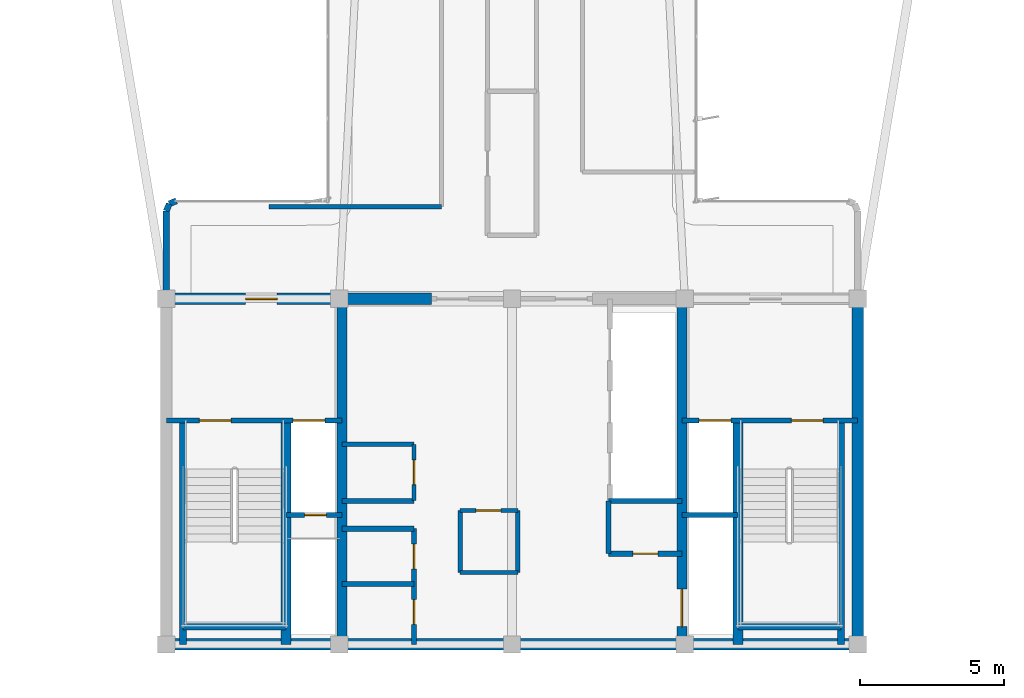
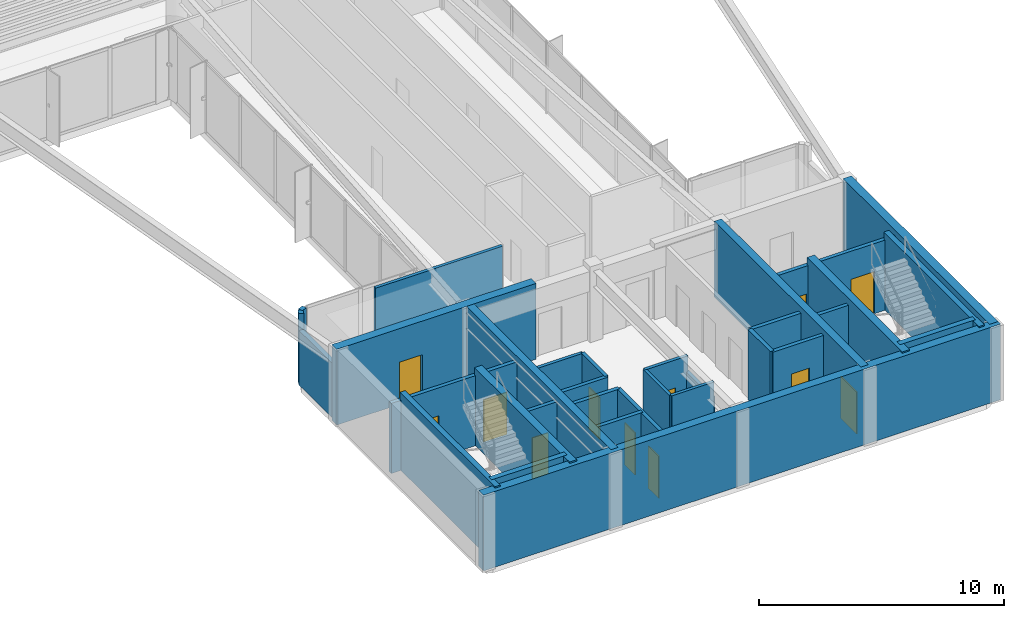
# One storey, part 10 of 16: 32 walls, 12 doors, 12 openings.
"""IFC4 building model written with IfcOpenShell, lengths in metres."""

from ifc_helpers import new_model, si_unit, direction, frame, frame_2d, origin, origin_2d, place, context, subcontext, project, spatial, rectangle, extrude, source, transform, mapped, material, layer, layer_set, type_object, element, fill, save


model = new_model("IFC4")

# Units and contexts
model_context = context("Model", 3, precision=1e-05, world=origin(), true_north=direction((0.0, 1.0)))
body_context = subcontext(model_context, "Body", "Model", "MODEL_VIEW")
ifc_project = project(units=[si_unit("LENGTHUNIT", "METRE"), si_unit("AREAUNIT", "SQUARE_METRE"), si_unit("VOLUMEUNIT", "CUBIC_METRE"), si_unit("PLANEANGLEUNIT", "RADIAN"), si_unit("MASSUNIT", "GRAM", prefix="KILO")], contexts=[model_context])

# Site, building, storey
site_placement = place(None, origin())
site = spatial("IfcSite", under=ifc_project, at=site_placement, CompositionType="ELEMENT")
building_placement = place(site_placement, origin())
building = spatial("IfcBuilding", under=site, at=building_placement, Name="Brelvock Crest Care Tower", CompositionType="ELEMENT")
storey_placement = place(building_placement, frame((0.0, 0.0, 223.02001953125)))
storey = spatial("IfcBuildingStorey", under=building, at=storey_placement, Name="L56", CompositionType="ELEMENT", Elevation=223.02001953125)

# Walls
ifc_material_1 = material(Name="Concrete S65 (65 MPa)", Category="concrete")
ifc_layer_1 = layer(ifc_material_1, 0.39990234375, Name="WL-CS4")
ifc_layer_set_1 = layer_set([ifc_layer_1], Name="Concrete S65 (65 MPa)")
wall_type_1 = type_object("IfcWallType", Name="WL-CS4", PredefinedType="SHEAR", material=ifc_layer_set_1)
wall_1_placement = place(storey_placement, frame((48.199951171875, 6.0, 0.0), z_axis=(0.0, 0.0, 1.0), x_axis=(-1.0, 0.0, 0.0)))
element("IfcWall", 1, at=wall_1_placement, inside=storey, type_object=wall_type_1, Name="L56 Core South Shear Wall", PredefinedType="SHEAR", context=body_context, shape_type="SweptSolid", body=[
    extrude(rectangle(XDim=24.39990234375, YDim=0.39990234375, at=frame_2d((12.199951171875, 0.0))), origin(), (0.0, 0.0, 1.0), 3.780029296875),
])
wall_2_placement = place(storey_placement, frame((48.0, 18.0, 0.0), z_axis=(0.0, 0.0, 1.0), x_axis=(0.0, -1.0, 0.0)))
element("IfcWall", 2, at=wall_2_placement, inside=storey, type_object=wall_type_1, Name="L56 Core East Shear Wall", PredefinedType="SHEAR", context=body_context, shape_type="SweptSolid", body=[
    extrude(rectangle(XDim=12.0, YDim=0.39990234375, at=frame_2d((6.0, 0.0))), origin(), (0.0, 0.0, 1.0), 3.780029296875),
])

# Wall, opening, door
wall_3_placement = place(storey_placement, frame((23.800048828125, 18.0, 0.0), z_axis=(0.0, 0.0, 1.0), x_axis=(1.0, 0.0, 0.0)))
wall_3 = element("IfcWall", 3, at=wall_3_placement, inside=storey, type_object=wall_type_1, Name="L56 Core North-West Shear Wall", PredefinedType="SHEAR", context=body_context, shape_type="SweptSolid", body=[
    extrude(rectangle(XDim=9.39990234375, YDim=0.39990234375, at=frame_2d((4.699951171875, 0.0))), origin(), (0.0, 0.0, 1.0), 3.780029296875),
])
opening_1_placement = place(wall_3_placement, frame((2.949951171875, 0.0, 0.0)))
opening_1 = element("IfcOpeningElement", 4, at=opening_1_placement, cuts=wall_3, Name="Opening FD-1", PredefinedType="OPENING", context=body_context, shape_type="SweptSolid", body=[
    extrude(rectangle(XDim=1.10009765625, YDim=2.10009765625, at=origin_2d()), frame((0.550048828125, 0.2099609375, 1.050048828125), z_axis=(0.0, -1.0, 0.0), x_axis=(1.0, 0.0, 0.0)), (0.0, 0.0, 1.0), 0.419921875),
])
ifc_material_2 = material(Name="Steel Grade 350", Category="steel")
door_type_1 = type_object("IfcDoorType", Name="DR-FFL1", OperationType="NOTDEFINED", PredefinedType="DOOR", material=ifc_material_2)
shared_shape_1 = source(origin(), body_context, "Body", "SweptSolid", [
    extrude(rectangle(XDim=1.10009765625, YDim=2.10009765625, at=origin_2d()), frame((0.550048828125, 0.02490234375, 1.050048828125), z_axis=(0.0, -1.0, 0.0), x_axis=(1.0, 0.0, 0.0)), (0.0, 0.0, 1.0), 0.050048828125),
])
door_1_placement = place(opening_1_placement, origin())
door_1 = element("IfcDoor", 5, at=door_1_placement, inside=storey, type_object=door_type_1, Name="L56 Firefighting Lobby FFL-1 Exit Door", OperationType="SINGLE_SWING_LEFT", OverallHeight=2.10009765625, OverallWidth=1.10009765625, PredefinedType="DOOR", context=body_context, shape_type="MappedRepresentation", body=[
    mapped(shared_shape_1, transform((0.0, 0.0, 0.0), x_axis=(1.0, 0.0, 0.0), y_axis=(0.0, 1.0, 0.0), z_axis=(0.0, 0.0, 1.0), scale=1.0)),
])
fill(opening_1, door_1)

# Wall
ifc_material_3 = material(Name="Concrete S80 (80 MPa)", Category="concrete")
ifc_layer_2 = layer(ifc_material_3, 0.35009765625, Name="WL-CS5")
ifc_layer_set_2 = layer_set([ifc_layer_2], Name="Concrete S80 (80 MPa)")
wall_type_2 = type_object("IfcWallType", Name="WL-CS5", PredefinedType="SHEAR", material=ifc_layer_set_2)
wall_4_placement = place(storey_placement, frame((30.10009765625, 6.0, 0.0), z_axis=(0.0, 0.0, 1.0), x_axis=(0.0, 1.0, 0.0)))
element("IfcWall", 6, at=wall_4_placement, inside=storey, type_object=wall_type_2, Name="L56 Core Internal Web Wall West", PredefinedType="SHEAR", context=body_context, shape_type="SweptSolid", body=[
    extrude(rectangle(XDim=12.0, YDim=0.35009765625, at=frame_2d((6.0, 0.0))), origin(), (0.0, 0.0, 1.0), 3.780029296875),
])

# Wall, opening, door
wall_5_placement = place(storey_placement, frame((41.89990234375, 18.0, 0.0), z_axis=(0.0, 0.0, 1.0), x_axis=(0.0, -1.0, 0.0)))
wall_5 = element("IfcWall", 7, at=wall_5_placement, inside=storey, type_object=wall_type_2, Name="L56 Core Internal Web Wall East", PredefinedType="SHEAR", context=body_context, shape_type="SweptSolid", body=[
    extrude(rectangle(XDim=12.0, YDim=0.35009765625, at=frame_2d((6.0, 0.0))), origin(), (0.0, 0.0, 1.0), 3.780029296875),
])
opening_2_placement = place(wall_5_placement, frame((10.080078125, 0.0, 0.0)))
opening_2 = element("IfcOpeningElement", 8, at=opening_2_placement, cuts=wall_5, Name="Opening LD-S", PredefinedType="OPENING", context=body_context, shape_type="SweptSolid", body=[
    extrude(rectangle(XDim=1.300048828125, YDim=2.10009765625, at=origin_2d()), frame((0.64990234375, 0.18505859375, 1.050048828125), z_axis=(0.0, -1.0, 0.0), x_axis=(1.0, 0.0, 0.0)), (0.0, 0.0, 1.0), 0.3701171875),
])
door_type_2 = type_object("IfcDoorType", Name="DR-LDS1", OperationType="NOTDEFINED", PredefinedType="DOOR", material=ifc_material_2)
shared_shape_2 = source(origin(), body_context, "Body", "SweptSolid", [
    extrude(rectangle(XDim=1.300048828125, YDim=2.10009765625, at=origin_2d()), frame((0.64990234375, 0.02490234375, 1.050048828125), z_axis=(0.0, -1.0, 0.0), x_axis=(1.0, 0.0, 0.0)), (0.0, 0.0, 1.0), 0.050048828125),
])
door_2_placement = place(opening_2_placement, origin())
door_2 = element("IfcDoor", 9, at=door_2_placement, inside=storey, type_object=door_type_2, Name="L56 Clinical Bed Lift SL-1 Landing Door", OperationType="SLIDING_TO_LEFT", OverallHeight=2.10009765625, OverallWidth=1.300048828125, PredefinedType="DOOR", context=body_context, shape_type="MappedRepresentation", body=[
    mapped(shared_shape_2, transform((0.0, 0.0, 0.0), x_axis=(1.0, 0.0, 0.0), y_axis=(0.0, 1.0, 0.0), z_axis=(0.0, 0.0, 1.0), scale=1.0)),
])
fill(opening_2, door_2)

# Walls
for number, where, z_axis, x_axis, name in (
    (10, (28.14990234375, 6.0, 0.0), (0.0, 0.0, 1.0), (0.0, 1.0, 0.0), "L56 Core Stair ST-1 East Shear Wall"),
    (11, (43.85009765625, 6.0, 0.0), (0.0, 0.0, 1.0), (0.0, 1.0, 0.0), "L56 Core Stair ST-2 West Shear Wall"),
):
    element("IfcWall", number, at=place(storey_placement, frame(where, z_axis=z_axis, x_axis=x_axis)), inside=storey, type_object=wall_type_2, Name=name, PredefinedType="SHEAR", context=body_context, shape_type="SweptSolid", body=[
        extrude(rectangle(XDim=7.780029296875, YDim=0.35009765625, at=frame_2d((3.89013671875, 0.0))), origin(), (0.0, 0.0, 1.0), 3.85009765625),
    ])
ifc_layer_3 = layer(ifc_material_3, 0.25, Name="WL-CS6")
ifc_layer_set_3 = layer_set([ifc_layer_3], Name="Concrete S80 (80 MPa)")
wall_type_3 = type_object("IfcWallType", Name="WL-CS6", PredefinedType="SHEAR", material=ifc_layer_set_3)
wall_6_placement = place(storey_placement, frame((24.580078125, 6.0, 0.0), z_axis=(0.0, 0.0, 1.0), x_axis=(0.0, 1.0, 0.0)))
element("IfcWall", 12, at=wall_6_placement, inside=storey, type_object=wall_type_3, Name="L56 Core Stair ST-1 West Shear Wall", PredefinedType="SHEAR", context=body_context, shape_type="SweptSolid", body=[
    extrude(rectangle(XDim=7.780029296875, YDim=0.25, at=frame_2d((3.89013671875, 0.0))), origin(), (0.0, 0.0, 1.0), 3.85009765625),
])
wall_7_placement = place(storey_placement, frame((24.580078125, 6.6201171875, 0.0), z_axis=(0.0, 0.0, 1.0), x_axis=(1.0, 0.0, 0.0)))
element("IfcWall", 13, at=wall_7_placement, inside=storey, type_object=wall_type_3, Name="L56 Core Stair ST-1 South Shear Wall", PredefinedType="SHEAR", context=body_context, shape_type="SweptSolid", body=[
    extrude(rectangle(XDim=3.56982421875, YDim=0.25, at=frame_2d((1.784912109375, 0.0))), origin(), (0.0, 0.0, 1.0), 3.85009765625),
])
wall_8_placement = place(storey_placement, frame((47.419921875, 6.0, 0.0), z_axis=(0.0, 0.0, 1.0), x_axis=(0.0, 1.0, 0.0)))
element("IfcWall", 14, at=wall_8_placement, inside=storey, type_object=wall_type_3, Name="L56 Core Stair ST-2 East Shear Wall", PredefinedType="SHEAR", context=body_context, shape_type="SweptSolid", body=[
    extrude(rectangle(XDim=7.780029296875, YDim=0.25, at=frame_2d((3.89013671875, 0.0))), origin(), (0.0, 0.0, 1.0), 3.85009765625),
])
wall_9_placement = place(storey_placement, frame((43.85009765625, 6.6201171875, 0.0), z_axis=(0.0, 0.0, 1.0), x_axis=(1.0, 0.0, 0.0)))
element("IfcWall", 15, at=wall_9_placement, inside=storey, type_object=wall_type_3, Name="L56 Core Stair ST-2 South Shear Wall", PredefinedType="SHEAR", context=body_context, shape_type="SweptSolid", body=[
    extrude(rectangle(XDim=3.56982421875, YDim=0.25, at=frame_2d((1.784912109375, 0.0))), origin(), (0.0, 0.0, 1.0), 3.85009765625),
])
ifc_material_4 = material(Name="Precast concrete N40 (40 MPa)", Category="concrete")
ifc_layer_4 = layer(ifc_material_4, 0.215087890625, Name="WL-EX2")
ifc_layer_set_4 = layer_set([ifc_layer_4], Name="Precast concrete N40 (40 MPa)")
wall_type_4 = type_object("IfcWallType", Name="WL-EX2", PredefinedType="SOLIDWALL", material=ifc_layer_set_4)
wall_10_placement = place(storey_placement, frame((24.0, 18.280029296875, 0.0), z_axis=(0.0, 0.0, 1.0), x_axis=(0.0, 1.0, 0.0)))
element("IfcWall", 16, at=wall_10_placement, inside=storey, type_object=wall_type_4, Name="L56 Rounded Corner Wall 07", PredefinedType="SOLIDWALL", context=body_context, shape_type="SweptSolid", body=[
    extrude(rectangle(XDim=2.77001953125, YDim=0.215087890625, at=frame_2d((1.385009765625, 0.0))), origin(), (0.0, 0.0, 1.0), 2.718017578125),
])
wall_11_placement = place(storey_placement, frame((24.0, 21.050048828125, 0.0), z_axis=(0.0, 0.0, 1.0), x_axis=(0.382673670509, 0.923883575944, 0.0)))
element("IfcWall", 17, at=wall_11_placement, inside=storey, type_object=wall_type_4, Name="L56 Rounded Corner Wall 08", PredefinedType="SOLIDWALL", context=body_context, shape_type="SweptSolid", body=[
    extrude(rectangle(XDim=0.26806640625, YDim=0.215087890625, at=frame_2d((0.134033203125, 0.0))), origin(), (0.0, 0.0, 1.0), 3.530029296875),
])
wall_12_placement = place(storey_placement, frame((24.1025390625, 21.297607421875, 0.0), z_axis=(0.0, 0.0, 1.0), x_axis=(0.924205486139, 0.381895560841, 0.0)))
element("IfcWall", 18, at=wall_12_placement, inside=storey, type_object=wall_type_4, Name="L56 Rounded Corner Wall 09", PredefinedType="SOLIDWALL", context=body_context, shape_type="SweptSolid", body=[
    extrude(rectangle(XDim=0.267822265625, YDim=0.215087890625, at=frame_2d((0.1337890625, 0.0))), origin(), (0.0, 0.0, 1.0), 3.530029296875),
])
ifc_material_5 = material(Name="Masonry Blockwork Acoustic Partition", Category="masonry")
ifc_layer_5 = layer(ifc_material_5, 0.14990234375, Name="WL-INT1")
ifc_layer_set_5 = layer_set([ifc_layer_5], Name="Masonry Blockwork Acoustic Partition")
wall_type_5 = type_object("IfcWallType", Name="WL-INT1", PredefinedType="PARTITIONING", material=ifc_layer_set_5)
wall_13_placement = place(storey_placement, frame((30.10009765625, 12.949951171875, 0.0), z_axis=(0.0, 0.0, 1.0), x_axis=(1.0, 0.0, 0.0)))
element("IfcWall", 19, at=wall_13_placement, inside=storey, type_object=wall_type_5, Name="L56 Interior Wall WL-CRCL-N2-L56", PredefinedType="PARTITIONING", context=body_context, shape_type="SweptSolid", body=[
    extrude(rectangle(XDim=2.5, YDim=0.14990234375, at=frame_2d((1.25, 0.0))), origin(), (0.0, 0.0, 1.0), 3.5),
])

# Wall, opening, door
wall_14_placement = place(storey_placement, frame((32.60009765625, 11.0, 0.0), z_axis=(0.0, 0.0, 1.0), x_axis=(0.0, 1.0, 0.0)))
wall_14 = element("IfcWall", 20, at=wall_14_placement, inside=storey, type_object=wall_type_5, Name="L56 Interior Wall WL-CRCL-E-L56", PredefinedType="PARTITIONING", context=body_context, shape_type="SweptSolid", body=[
    extrude(rectangle(XDim=1.949951171875, YDim=0.14990234375, at=frame_2d((0.97509765625, 0.0))), origin(), (0.0, 0.0, 1.0), 3.5),
])
opening_3_placement = place(wall_14_placement, frame((0.550048828125, 0.0, 0.0)))
opening_3 = element("IfcOpeningElement", 21, at=opening_3_placement, cuts=wall_14, Name="Opening ID-1", PredefinedType="OPENING", context=body_context, shape_type="SweptSolid", body=[
    extrude(rectangle(XDim=0.860107421875, YDim=2.10009765625, at=origin_2d()), frame((0.43017578125, 0.0849609375, 1.050048828125), z_axis=(0.0, -1.0, 0.0), x_axis=(1.0, 0.0, 0.0)), (0.0, 0.0, 1.0), 0.169921875),
])
ifc_material_6 = material(Name="Engineered Hardwood Timber", Category="wood")
door_type_3 = type_object("IfcDoorType", Name="DR-INT1", OperationType="NOTDEFINED", PredefinedType="DOOR", material=ifc_material_6)
shared_shape_3 = source(origin(), body_context, "Body", "SweptSolid", [
    extrude(rectangle(XDim=0.860107421875, YDim=2.10009765625, at=origin_2d()), frame((0.43017578125, 0.02490234375, 1.050048828125), z_axis=(0.0, -1.0, 0.0), x_axis=(1.0, 0.0, 0.0)), (0.0, 0.0, 1.0), 0.050048828125),
])
door_3_placement = place(opening_3_placement, origin())
door_3 = element("IfcDoor", 22, at=door_3_placement, inside=storey, type_object=door_type_3, Name="DR-CRCL1-L56", OperationType="SINGLE_SWING_LEFT", OverallHeight=2.10009765625, OverallWidth=0.860107421875, PredefinedType="DOOR", context=body_context, shape_type="MappedRepresentation", body=[
    mapped(shared_shape_3, transform((0.0, 0.0, 0.0), x_axis=(1.0, 0.0, 0.0), y_axis=(0.0, 1.0, 0.0), z_axis=(0.0, 0.0, 1.0), scale=1.0)),
])
fill(opening_3, door_3)

# Walls
wall_15_placement = place(storey_placement, frame((34.199951171875, 8.5, 0.0), z_axis=(0.0, 0.0, 1.0), x_axis=(1.0, 0.0, 0.0)))
element("IfcWall", 23, at=wall_15_placement, inside=storey, type_object=wall_type_5, Name="L56 Interior Wall WL-CRCM-S-L56", PredefinedType="PARTITIONING", context=body_context, shape_type="SweptSolid", body=[
    extrude(rectangle(XDim=2.0, YDim=0.14990234375, at=frame_2d((1.0, 0.0))), origin(), (0.0, 0.0, 1.0), 3.5),
])
wall_16_placement = place(storey_placement, frame((34.199951171875, 8.5, 0.0), z_axis=(0.0, 0.0, 1.0), x_axis=(0.0, 1.0, 0.0)))
element("IfcWall", 24, at=wall_16_placement, inside=storey, type_object=wall_type_5, Name="L56 Interior Wall WL-CRCM-W-L56", PredefinedType="PARTITIONING", context=body_context, shape_type="SweptSolid", body=[
    extrude(rectangle(XDim=2.14990234375, YDim=0.14990234375, at=frame_2d((1.074951171875, 0.0))), origin(), (0.0, 0.0, 1.0), 3.5),
])
wall_17_placement = place(storey_placement, frame((36.199951171875, 8.5, 0.0), z_axis=(0.0, 0.0, 1.0), x_axis=(0.0, 1.0, 0.0)))
element("IfcWall", 25, at=wall_17_placement, inside=storey, type_object=wall_type_5, Name="L56 Interior Wall WL-CRCM-E-L56", PredefinedType="PARTITIONING", context=body_context, shape_type="SweptSolid", body=[
    extrude(rectangle(XDim=2.14990234375, YDim=0.14990234375, at=frame_2d((1.074951171875, 0.0))), origin(), (0.0, 0.0, 1.0), 2.715087890625),
])

# Wall, opening, door
wall_18_placement = place(storey_placement, frame((34.199951171875, 10.64990234375, 0.0), z_axis=(0.0, 0.0, 1.0), x_axis=(1.0, 0.0, 0.0)))
wall_18 = element("IfcWall", 26, at=wall_18_placement, inside=storey, type_object=wall_type_5, Name="L56 Interior Wall WL-CRCM-N-L56", PredefinedType="PARTITIONING", context=body_context, shape_type="SweptSolid", body=[
    extrude(rectangle(XDim=2.0, YDim=0.14990234375, at=frame_2d((1.0, 0.0))), origin(), (0.0, 0.0, 1.0), 3.5),
])
opening_4_placement = place(wall_18_placement, frame((0.550048828125, 0.0, 0.0)))
opening_4 = element("IfcOpeningElement", 27, at=opening_4_placement, cuts=wall_18, Name="Opening ID-1", PredefinedType="OPENING", context=body_context, shape_type="SweptSolid", body=[
    extrude(rectangle(XDim=0.860107421875, YDim=2.10009765625, at=origin_2d()), frame((0.43017578125, 0.0849609375, 1.050048828125), z_axis=(0.0, -1.0, 0.0), x_axis=(1.0, 0.0, 0.0)), (0.0, 0.0, 1.0), 0.169921875),
])
door_4_placement = place(opening_4_placement, origin())
door_4 = element("IfcDoor", 28, at=door_4_placement, inside=storey, type_object=door_type_3, Name="DR-CRCM1-L56", OperationType="SINGLE_SWING_LEFT", OverallHeight=2.10009765625, OverallWidth=0.860107421875, PredefinedType="DOOR", context=body_context, shape_type="MappedRepresentation", body=[
    mapped(shared_shape_3, transform((0.0, 0.0, 0.0), x_axis=(1.0, 0.0, 0.0), y_axis=(0.0, 1.0, 0.0), z_axis=(0.0, 0.0, 1.0), scale=1.0)),
])
fill(opening_4, door_4)

# Walls
wall_19_placement = place(storey_placement, frame((27.5576171875, 21.199951171875, 0.0), z_axis=(0.0, 0.0, 1.0), x_axis=(1.0, 0.0, 0.0)))
element("IfcWall", 29, at=wall_19_placement, inside=storey, type_object=wall_type_5, Name="L56 Interior Wall WL-BX-L56-THRW-S", PredefinedType="PARTITIONING", context=body_context, shape_type="SweptSolid", body=[
    extrude(rectangle(XDim=5.992431640625, YDim=0.14990234375, at=frame_2d((2.99609375, 0.0))), origin(), (0.0, 0.0, 1.0), 3.5),
])
ifc_layer_6 = layer(ifc_material_5, 0.179931640625, Name="WL-SHF1")
ifc_layer_set_6 = layer_set([ifc_layer_6], Name="Masonry Blockwork Acoustic Partition")
wall_type_6 = type_object("IfcWallType", Name="WL-SHF1", PredefinedType="PARTITIONING", material=ifc_layer_set_6)
wall_20_placement = place(storey_placement, frame((30.10009765625, 10.97998046875, 0.0), z_axis=(0.0, 0.0, 1.0), x_axis=(1.0, 0.0, 0.0)))
element("IfcWall", 30, at=wall_20_placement, inside=storey, type_object=wall_type_6, Name="L56 Interior Wall WL-CSBW-N-L56", PredefinedType="PARTITIONING", context=body_context, shape_type="SweptSolid", body=[
    extrude(rectangle(XDim=2.5, YDim=0.179931640625, at=frame_2d((1.25, 0.0))), origin(), (0.0, 0.0, 1.0), 3.5),
])
wall_21_placement = place(storey_placement, frame((39.35009765625, 10.97998046875, 0.0), z_axis=(0.0, 0.0, 1.0), x_axis=(1.0, 0.0, 0.0)))
element("IfcWall", 31, at=wall_21_placement, inside=storey, type_object=wall_type_6, Name="L56 Interior Wall WL-CSBE-N-L56", PredefinedType="PARTITIONING", context=body_context, shape_type="SweptSolid", body=[
    extrude(rectangle(XDim=2.5498046875, YDim=0.179931640625, at=frame_2d((1.27490234375, 0.0))), origin(), (0.0, 0.0, 1.0), 3.5),
])
for number, where, z_axis, x_axis, name in (
    (32, (30.10009765625, 8.10009765625, 0.0), (0.0, 0.0, 1.0), (1.0, 0.0, 0.0), "L56 Interior Wall WL-CSBW-SP-L56"),
    (33, (30.10009765625, 10.02001953125, 0.0), (0.0, 0.0, 1.0), (1.0, 0.0, 0.0), "L56 Interior Wall WL-CSBW-N2-L56"),
):
    element("IfcWall", number, at=place(storey_placement, frame(where, z_axis=z_axis, x_axis=x_axis)), inside=storey, type_object=wall_type_6, Name=name, PredefinedType="PARTITIONING", context=body_context, shape_type="SweptSolid", body=[
        extrude(rectangle(XDim=2.5, YDim=0.179931640625, at=frame_2d((1.25, 0.0))), origin(), (0.0, 0.0, 1.0), 3.5),
    ])

# Wall, openings, doors
wall_22_placement = place(storey_placement, frame((32.60009765625, 6.0, 0.0), z_axis=(0.0, 0.0, 1.0), x_axis=(0.0, 1.0, 0.0)))
wall_22 = element("IfcWall", 34, at=wall_22_placement, inside=storey, type_object=wall_type_6, Name="L56 Interior Wall WL-CSBW-E-L56", PredefinedType="PARTITIONING", context=body_context, shape_type="SweptSolid", body=[
    extrude(rectangle(XDim=4.02001953125, YDim=0.179931640625, at=frame_2d((2.010009765625, 0.0))), origin(), (0.0, 0.0, 1.0), 3.5),
])
opening_5_placement = place(wall_22_placement, frame((0.699951171875, 0.0, 0.0)))
opening_5 = element("IfcOpeningElement", 35, at=opening_5_placement, cuts=wall_22, Name="Opening ID-1", PredefinedType="OPENING", context=body_context, shape_type="SweptSolid", body=[
    extrude(rectangle(XDim=0.860107421875, YDim=2.10009765625, at=origin_2d()), frame((0.43017578125, 0.10009765625, 1.050048828125), z_axis=(0.0, -1.0, 0.0), x_axis=(1.0, 0.0, 0.0)), (0.0, 0.0, 1.0), 0.199951171875),
])
opening_6_placement = place(wall_22_placement, frame((2.6201171875, 0.0, 0.0)))
opening_6 = element("IfcOpeningElement", 36, at=opening_6_placement, cuts=wall_22, Name="Opening ID-1", PredefinedType="OPENING", context=body_context, shape_type="SweptSolid", body=[
    extrude(rectangle(XDim=0.860107421875, YDim=2.10009765625, at=origin_2d()), frame((0.43017578125, 0.10009765625, 1.050048828125), z_axis=(0.0, -1.0, 0.0), x_axis=(1.0, 0.0, 0.0)), (0.0, 0.0, 1.0), 0.199951171875),
])
door_5_placement = place(opening_5_placement, origin())
door_5 = element("IfcDoor", 37, at=door_5_placement, inside=storey, type_object=door_type_3, Name="DR-CSBW1-L56", OperationType="SINGLE_SWING_LEFT", OverallHeight=2.10009765625, OverallWidth=0.860107421875, PredefinedType="DOOR", context=body_context, shape_type="MappedRepresentation", body=[
    mapped(shared_shape_3, transform((0.0, 0.0, 0.0), x_axis=(1.0, 0.0, 0.0), y_axis=(0.0, 1.0, 0.0), z_axis=(0.0, 0.0, 1.0), scale=1.0)),
])
fill(opening_5, door_5)
door_6_placement = place(opening_6_placement, origin())
door_6 = element("IfcDoor", 38, at=door_6_placement, inside=storey, type_object=door_type_3, Name="DR-CSBW2-L56", OperationType="SINGLE_SWING_RIGHT", OverallHeight=2.10009765625, OverallWidth=0.860107421875, PredefinedType="DOOR", context=body_context, shape_type="MappedRepresentation", body=[
    mapped(shared_shape_3, transform((0.0, 0.0, 0.0), x_axis=(1.0, 0.0, 0.0), y_axis=(0.0, 1.0, 0.0), z_axis=(0.0, 0.0, 1.0), scale=1.0)),
])
fill(opening_6, door_6)

# Wall
wall_23_placement = place(storey_placement, frame((39.35009765625, 9.14990234375, 0.0), z_axis=(0.0, 0.0, 1.0), x_axis=(0.0, 1.0, 0.0)))
element("IfcWall", 39, at=wall_23_placement, inside=storey, type_object=wall_type_6, Name="L56 Interior Wall WL-CSBE-W-L56", PredefinedType="PARTITIONING", context=body_context, shape_type="SweptSolid", body=[
    extrude(rectangle(XDim=1.830078125, YDim=0.179931640625, at=frame_2d((0.9150390625, 0.0))), origin(), (0.0, 0.0, 1.0), 3.5),
])

# Wall, opening, door
wall_24_placement = place(storey_placement, frame((39.35009765625, 9.14990234375, 0.0), z_axis=(0.0, 0.0, 1.0), x_axis=(1.0, 0.0, 0.0)))
wall_24 = element("IfcWall", 40, at=wall_24_placement, inside=storey, type_object=wall_type_6, Name="L56 Interior Wall WL-CSBE-S-L56", PredefinedType="PARTITIONING", context=body_context, shape_type="SweptSolid", body=[
    extrude(rectangle(XDim=2.5498046875, YDim=0.179931640625, at=frame_2d((1.27490234375, 0.0))), origin(), (0.0, 0.0, 1.0), 3.5),
])
opening_7_placement = place(wall_24_placement, frame((0.85009765625, 0.0, 0.0)))
opening_7 = element("IfcOpeningElement", 41, at=opening_7_placement, cuts=wall_24, Name="Opening ID-1", PredefinedType="OPENING", context=body_context, shape_type="SweptSolid", body=[
    extrude(rectangle(XDim=0.860107421875, YDim=2.10009765625, at=origin_2d()), frame((0.43017578125, 0.10009765625, 1.050048828125), z_axis=(0.0, -1.0, 0.0), x_axis=(1.0, 0.0, 0.0)), (0.0, 0.0, 1.0), 0.199951171875),
])
door_7_placement = place(opening_7_placement, origin())
door_7 = element("IfcDoor", 42, at=door_7_placement, inside=storey, type_object=door_type_3, Name="DR-CSBE-L56", OperationType="SINGLE_SWING_LEFT", OverallHeight=2.10009765625, OverallWidth=0.860107421875, PredefinedType="DOOR", context=body_context, shape_type="MappedRepresentation", body=[
    mapped(shared_shape_3, transform((0.0, 0.0, 0.0), x_axis=(1.0, 0.0, 0.0), y_axis=(0.0, 1.0, 0.0), z_axis=(0.0, 0.0, 1.0), scale=1.0)),
])
fill(opening_7, door_7)

# Wall, openings, doors
wall_25_placement = place(storey_placement, frame((24.0, 13.780029296875, 0.0), z_axis=(0.0, 0.0, 1.0), x_axis=(1.0, 0.0, 0.0)))
wall_25 = element("IfcWall", 43, at=wall_25_placement, inside=storey, type_object=wall_type_6, Name="L56 Interior Wall WL-ST1-N-L56", PredefinedType="PARTITIONING", context=body_context, shape_type="SweptSolid", body=[
    extrude(rectangle(XDim=6.10009765625, YDim=0.179931640625, at=frame_2d((3.050048828125, 0.0))), origin(), (0.0, 0.0, 1.0), 3.5),
])
opening_8_placement = place(wall_25_placement, frame((1.14990234375, 0.0, 0.0)))
opening_8 = element("IfcOpeningElement", 44, at=opening_8_placement, cuts=wall_25, Name="Opening SD-1", PredefinedType="OPENING", context=body_context, shape_type="SweptSolid", body=[
    extrude(rectangle(XDim=1.10009765625, YDim=2.10009765625, at=origin_2d()), frame((0.550048828125, 0.10009765625, 1.050048828125), z_axis=(0.0, -1.0, 0.0), x_axis=(1.0, 0.0, 0.0)), (0.0, 0.0, 1.0), 0.199951171875),
])
opening_9_placement = place(wall_25_placement, frame((4.39990234375, 0.0, 0.0)))
opening_9 = element("IfcOpeningElement", 45, at=opening_9_placement, cuts=wall_25, Name="Opening LD", PredefinedType="OPENING", context=body_context, shape_type="SweptSolid", body=[
    extrude(rectangle(XDim=1.10009765625, YDim=2.10009765625, at=origin_2d()), frame((0.550048828125, 0.10009765625, 1.050048828125), z_axis=(0.0, -1.0, 0.0), x_axis=(1.0, 0.0, 0.0)), (0.0, 0.0, 1.0), 0.199951171875),
])
door_type_4 = type_object("IfcDoorType", Name="DR-ST1", OperationType="NOTDEFINED", PredefinedType="DOOR", material=ifc_material_2)
shared_shape_4 = source(origin(), body_context, "Body", "SweptSolid", [
    extrude(rectangle(XDim=1.10009765625, YDim=2.10009765625, at=origin_2d()), frame((0.550048828125, 0.02490234375, 1.050048828125), z_axis=(0.0, -1.0, 0.0), x_axis=(1.0, 0.0, 0.0)), (0.0, 0.0, 1.0), 0.050048828125),
])
door_8_placement = place(opening_8_placement, origin())
door_8 = element("IfcDoor", 46, at=door_8_placement, inside=storey, type_object=door_type_4, Name="L56 Fire Stair ST-1 Door", OperationType="SINGLE_SWING_LEFT", OverallHeight=2.10009765625, OverallWidth=1.10009765625, PredefinedType="DOOR", context=body_context, shape_type="MappedRepresentation", body=[
    mapped(shared_shape_4, transform((0.0, 0.0, 0.0), x_axis=(1.0, 0.0, 0.0), y_axis=(0.0, 1.0, 0.0), z_axis=(0.0, 0.0, 1.0), scale=1.0)),
])
fill(opening_8, door_8)
door_type_5 = type_object("IfcDoorType", Name="DR-LD1", OperationType="NOTDEFINED", PredefinedType="DOOR", material=ifc_material_2)
shared_shape_5 = source(origin(), body_context, "Body", "SweptSolid", [
    extrude(rectangle(XDim=1.10009765625, YDim=2.10009765625, at=origin_2d()), frame((0.550048828125, 0.02490234375, 1.050048828125), z_axis=(0.0, -1.0, 0.0), x_axis=(1.0, 0.0, 0.0)), (0.0, 0.0, 1.0), 0.050048828125),
])
door_9_placement = place(opening_9_placement, origin())
door_9 = element("IfcDoor", 47, at=door_9_placement, inside=storey, type_object=door_type_5, Name="L56 Firefighting Lift FFL-1 Landing Door", OperationType="SLIDING_TO_LEFT", OverallHeight=2.10009765625, OverallWidth=1.10009765625, PredefinedType="DOOR", context=body_context, shape_type="MappedRepresentation", body=[
    mapped(shared_shape_5, transform((0.0, 0.0, 0.0), x_axis=(1.0, 0.0, 0.0), y_axis=(0.0, 1.0, 0.0), z_axis=(0.0, 0.0, 1.0), scale=1.0)),
])
fill(opening_9, door_9)

# Wall, opening, door
wall_26_placement = place(storey_placement, frame((28.14990234375, 10.5, 0.0), z_axis=(0.0, 0.0, 1.0), x_axis=(1.0, 0.0, 0.0)))
wall_26 = element("IfcWall", 48, at=wall_26_placement, inside=storey, type_object=wall_type_6, Name="L56 Interior Wall WL-FFH1-S-L56", PredefinedType="PARTITIONING", context=body_context, shape_type="SweptSolid", body=[
    extrude(rectangle(XDim=1.9501953125, YDim=0.179931640625, at=frame_2d((0.97509765625, 0.0))), origin(), (0.0, 0.0, 1.0), 3.5),
])
opening_10_placement = place(wall_26_placement, frame((0.64990234375, 0.0, 0.0)))
opening_10 = element("IfcOpeningElement", 49, at=opening_10_placement, cuts=wall_26, Name="Opening RD-1", PredefinedType="OPENING", context=body_context, shape_type="SweptSolid", body=[
    extrude(rectangle(XDim=0.760009765625, YDim=2.050048828125, at=origin_2d()), frame((0.3798828125, 0.10009765625, 1.02490234375), z_axis=(0.0, -1.0, 0.0), x_axis=(1.0, 0.0, 0.0)), (0.0, 0.0, 1.0), 0.199951171875),
])
door_type_6 = type_object("IfcDoorType", Name="DR-RIS1", OperationType="NOTDEFINED", PredefinedType="DOOR", material=ifc_material_2)
shared_shape_6 = source(origin(), body_context, "Body", "SweptSolid", [
    extrude(rectangle(XDim=0.760009765625, YDim=2.050048828125, at=origin_2d()), frame((0.3798828125, 0.02490234375, 1.02490234375), z_axis=(0.0, -1.0, 0.0), x_axis=(1.0, 0.0, 0.0)), (0.0, 0.0, 1.0), 0.050048828125),
])
door_10_placement = place(opening_10_placement, origin())
door_10 = element("IfcDoor", 50, at=door_10_placement, inside=storey, type_object=door_type_6, Name="L56 Wet Fire Riser Access Door", OperationType="SINGLE_SWING_LEFT", OverallHeight=2.050048828125, OverallWidth=0.760009765625, PredefinedType="DOOR", context=body_context, shape_type="MappedRepresentation", body=[
    mapped(shared_shape_6, transform((0.0, 0.0, 0.0), x_axis=(1.0, 0.0, 0.0), y_axis=(0.0, 1.0, 0.0), z_axis=(0.0, 0.0, 1.0), scale=1.0)),
])
fill(opening_10, door_10)

# Wall, openings, doors
wall_27_placement = place(storey_placement, frame((41.89990234375, 13.780029296875, 0.0), z_axis=(0.0, 0.0, 1.0), x_axis=(1.0, 0.0, 0.0)))
wall_27 = element("IfcWall", 51, at=wall_27_placement, inside=storey, type_object=wall_type_6, Name="L56 Interior Wall WL-ST2-N-L56", PredefinedType="PARTITIONING", context=body_context, shape_type="SweptSolid", body=[
    extrude(rectangle(XDim=6.10009765625, YDim=0.179931640625, at=frame_2d((3.050048828125, 0.0))), origin(), (0.0, 0.0, 1.0), 3.5),
])
opening_11_placement = place(wall_27_placement, frame((0.60009765625, 0.0, 0.0)))
opening_11 = element("IfcOpeningElement", 52, at=opening_11_placement, cuts=wall_27, Name="Opening LD", PredefinedType="OPENING", context=body_context, shape_type="SweptSolid", body=[
    extrude(rectangle(XDim=1.10009765625, YDim=2.10009765625, at=origin_2d()), frame((0.550048828125, 0.10009765625, 1.050048828125), z_axis=(0.0, -1.0, 0.0), x_axis=(1.0, 0.0, 0.0)), (0.0, 0.0, 1.0), 0.199951171875),
])
opening_12_placement = place(wall_27_placement, frame((3.800048828125, 0.0, 0.0)))
opening_12 = element("IfcOpeningElement", 53, at=opening_12_placement, cuts=wall_27, Name="Opening SD-1", PredefinedType="OPENING", context=body_context, shape_type="SweptSolid", body=[
    extrude(rectangle(XDim=1.10009765625, YDim=2.10009765625, at=origin_2d()), frame((0.550048828125, 0.10009765625, 1.050048828125), z_axis=(0.0, -1.0, 0.0), x_axis=(1.0, 0.0, 0.0)), (0.0, 0.0, 1.0), 0.199951171875),
])
door_11_placement = place(opening_12_placement, origin())
door_11 = element("IfcDoor", 54, at=door_11_placement, inside=storey, type_object=door_type_4, Name="L56 Fire Stair ST-2 Door", OperationType="SINGLE_SWING_RIGHT", OverallHeight=2.10009765625, OverallWidth=1.10009765625, PredefinedType="DOOR", context=body_context, shape_type="MappedRepresentation", body=[
    mapped(shared_shape_4, transform((0.0, 0.0, 0.0), x_axis=(1.0, 0.0, 0.0), y_axis=(0.0, 1.0, 0.0), z_axis=(0.0, 0.0, 1.0), scale=1.0)),
])
fill(opening_12, door_11)
door_12_placement = place(opening_11_placement, origin())
door_12 = element("IfcDoor", 55, at=door_12_placement, inside=storey, type_object=door_type_5, Name="L56 Firefighting Lift FFL-2 Landing Door", OperationType="SLIDING_TO_RIGHT", OverallHeight=2.10009765625, OverallWidth=1.10009765625, PredefinedType="DOOR", context=body_context, shape_type="MappedRepresentation", body=[
    mapped(shared_shape_5, transform((0.0, 0.0, 0.0), x_axis=(1.0, 0.0, 0.0), y_axis=(0.0, 1.0, 0.0), z_axis=(0.0, 0.0, 1.0), scale=1.0)),
])
fill(opening_11, door_12)

# Wall
wall_28_placement = place(storey_placement, frame((41.89990234375, 10.5, 0.0), z_axis=(0.0, 0.0, 1.0), x_axis=(1.0, 0.0, 0.0)))
element("IfcWall", 56, at=wall_28_placement, inside=storey, type_object=wall_type_6, Name="L56 Interior Wall WL-FFH2-S-L56", PredefinedType="PARTITIONING", context=body_context, shape_type="SweptSolid", body=[
    extrude(rectangle(XDim=1.9501953125, YDim=0.179931640625, at=frame_2d((0.97509765625, 0.0))), origin(), (0.0, 0.0, 1.0), 3.5),
])

save(model, "model.ifc")
